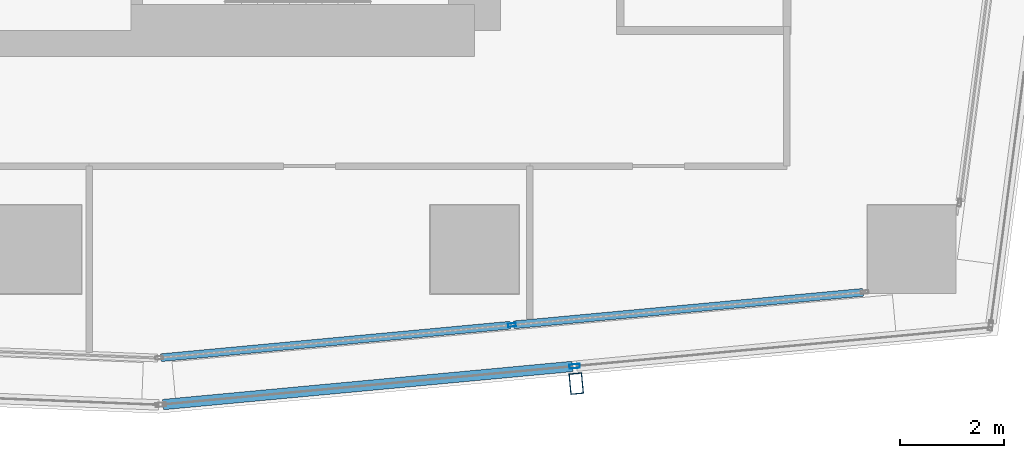
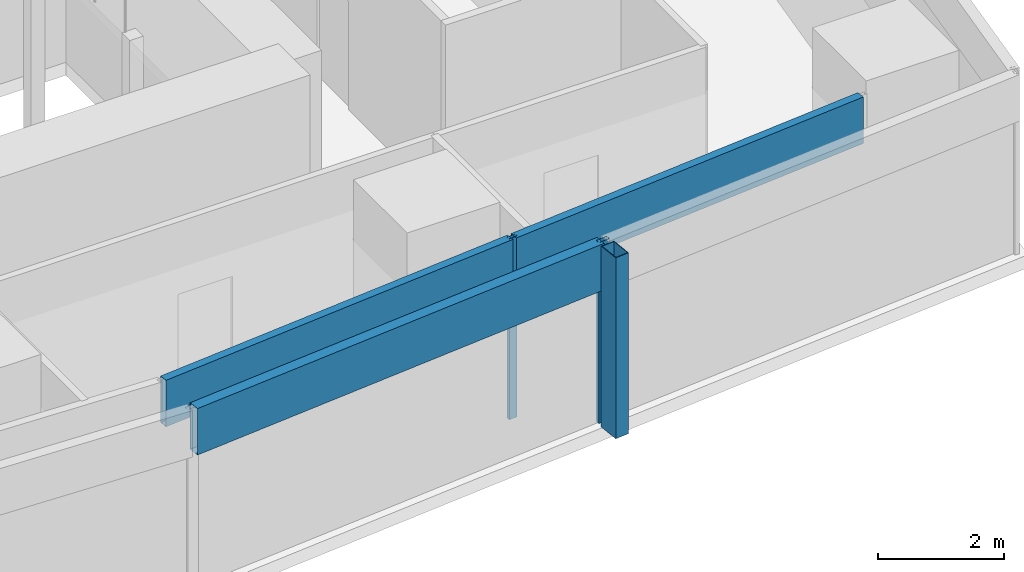
# One storey, part 11 of 39: 6 members, 2 elements without a shape of their own.
"""IFC4 building model written with IfcOpenShell, lengths in metres."""

from ifc_helpers import new_model, si_unit, direction, frame, origin, origin_2d, place, context, subcontext, project, spatial, hollow_rectangle, extrude, material, material_profile, profile_set, type_object, element, aggregate, save


model = new_model("IFC4")

# Units and contexts
model_context = context("Model", 3, precision=1e-05, world=origin(), true_north=direction((0.0, 1.0)))
body_context = subcontext(model_context, "Body", "Model", "MODEL_VIEW")
ifc_project = project(units=[si_unit("LENGTHUNIT", "METRE"), si_unit("AREAUNIT", "SQUARE_METRE"), si_unit("VOLUMEUNIT", "CUBIC_METRE"), si_unit("PLANEANGLEUNIT", "RADIAN"), si_unit("MASSUNIT", "GRAM", prefix="KILO")], contexts=[model_context])

# Site, building, storey
site_placement = place(None, origin())
site = spatial("IfcSite", under=ifc_project, at=site_placement, CompositionType="ELEMENT")
building_placement = place(site_placement, origin())
building = spatial("IfcBuilding", under=site, at=building_placement, Name="Rekha Terrace Tower", CompositionType="ELEMENT")
storey_placement = place(building_placement, frame((0.0, 0.0, 180.199951171875)))
storey = spatial("IfcBuildingStorey", under=building, at=storey_placement, Name="L45", CompositionType="ELEMENT", Elevation=180.199951171875)

# Curtain wall, member
ifc_material_1 = material(Name="Aluminium framing", Category="aluminium")
curtain_wall_type_1 = type_object("IfcCurtainWallType", Name="CW2 double skin outer glazing", PredefinedType="USERDEFINED", material=ifc_material_1)
curtain_wall_1_placement = place(storey_placement, origin())
curtain_wall_1 = element("IfcCurtainWall", 1, at=curtain_wall_1_placement, inside=storey, type_object=curtain_wall_type_1, Name="CW2 double skin outer glazing", ObjectType="DOUBLE SKIN OUTER GLAZING", PredefinedType="USERDEFINED")
ifc_material_2 = material(Name="Steel S355 with fluorocarbon finish", Category="steel")
ifc_material_profile_1 = material_profile(ifc_material_2, hollow_rectangle(XDim=0.25, YDim=0.39990234375, WallThickness=0.012451171875, at=origin_2d()), Name="RHS400x250x12.5")
ifc_profile_set_1 = profile_set([ifc_material_profile_1], Name="Steel S355 with fluorocarbon finish")
member_type_1 = type_object("IfcMemberType", Name="BL1 facade blade RHS 400 x 250", PredefinedType="USERDEFINED", material=ifc_profile_set_1)
member_1_placement = place(storey_placement, frame((52.35302734375, 14.22021484375, 0.0), z_axis=(0.0, 0.0, 1.0), x_axis=(0.995693203185, 0.092709466242, 0.0)))
member_1 = element("IfcMember", 2, at=member_1_placement, type_object=member_type_1, Name="Facade blade", ObjectType="FACADE BLADE", PredefinedType="USERDEFINED", context=body_context, shape_type="SweptSolid", body=[
    extrude(hollow_rectangle(XDim=0.25, YDim=0.39990234375, WallThickness=0.012451171875, at=origin_2d()), origin(), (0.0, 0.0, 1.0), 3.5),
])

# Curtain wall, members
curtain_wall_type_2 = type_object("IfcCurtainWallType", Name="CW1 double skin inner glazing", PredefinedType="USERDEFINED", material=ifc_material_1)
curtain_wall_2_placement = place(storey_placement, origin())
curtain_wall_2 = element("IfcCurtainWall", 3, at=curtain_wall_2_placement, inside=storey, type_object=curtain_wall_type_2, Name="CW1 double skin inner glazing", ObjectType="DOUBLE SKIN INNER GLAZING", PredefinedType="USERDEFINED")
ifc_material_3 = material(Name="Aluminium mullion section", Category="aluminium")
ifc_material_profile_2 = material_profile(ifc_material_3, hollow_rectangle(XDim=0.06494140625, YDim=0.14990234375, WallThickness=0.00390625, at=origin_2d()), Name="AL RHS 65x150")
ifc_profile_set_2 = profile_set([ifc_material_profile_2], Name="Aluminium mullion section")
member_type_2 = type_object("IfcMemberType", Name="CW1 mullion RHS 65 x 150", PredefinedType="MULLION", material=ifc_profile_set_2)
member_2_placement = place(storey_placement, frame((51.11962890625, 15.345703125, 0.0), z_axis=(0.0, 0.0, 1.0), x_axis=(-0.092708869529, 0.995693258745, 0.0)))
member_2 = element("IfcMember", 4, at=member_2_placement, type_object=member_type_2, Name="CW1 mullion 2", PredefinedType="MULLION", context=body_context, shape_type="SweptSolid", body=[
    extrude(hollow_rectangle(XDim=0.06494140625, YDim=0.14990234375, WallThickness=0.00390625, at=origin_2d()), origin(), (0.0, 0.0, 1.0), 3.5),
])
ifc_material_4 = material(Name="Insulated aluminium spandrel box", Category="aluminium")
ifc_material_profile_3 = material_profile(ifc_material_4, hollow_rectangle(XDim=0.14990234375, YDim=0.89990234375, WallThickness=0.0029296875, at=origin_2d()), Name="AL SPANDREL BOX 150x900")
ifc_profile_set_3 = profile_set([ifc_material_profile_3], Name="Insulated aluminium spandrel box")
member_type_3 = type_object("IfcMemberType", Name="CW1 spandrel transom 150 x 900", PredefinedType="USERDEFINED", material=ifc_profile_set_3)
member_3_placement = place(storey_placement, frame((44.376708984375, 14.718017578125, 3.050048828125), z_axis=(0.995693987287, 0.092701044658, 0.0), x_axis=(-0.092701044658, 0.995693987287, 0.0)))
member_3 = element("IfcMember", 5, at=member_3_placement, type_object=member_type_3, Name="CW1 spandrel transom 1", ObjectType="TRANSOM", PredefinedType="USERDEFINED", context=body_context, shape_type="SweptSolid", body=[
    extrude(hollow_rectangle(XDim=0.14990234375, YDim=0.89990234375, WallThickness=0.0029296875, at=origin_2d()), origin(), (0.0, 0.0, 1.0), 6.739501953125),
])
member_4_placement = place(storey_placement, frame((51.15185546875, 15.348876953125, 3.050048828125), z_axis=(0.995694298573, 0.092697701097, 0.0), x_axis=(-0.092697701097, 0.995694298573, 0.0)))
member_4 = element("IfcMember", 6, at=member_4_placement, type_object=member_type_3, Name="CW1 spandrel transom 2", ObjectType="TRANSOM", PredefinedType="USERDEFINED", context=body_context, shape_type="SweptSolid", body=[
    extrude(hollow_rectangle(XDim=0.14990234375, YDim=0.89990234375, WallThickness=0.0029296875, at=origin_2d()), origin(), (0.0, 0.0, 1.0), 6.73974609375),
])
aggregate(curtain_wall_2, [member_2, member_3, member_4])

# Member
ifc_material_profile_4 = material_profile(ifc_material_3, hollow_rectangle(XDim=0.080078125, YDim=0.199951171875, WallThickness=0.00390625, at=origin_2d()), Name="AL RHS 80x200")
ifc_profile_set_4 = profile_set([ifc_material_profile_4], Name="Aluminium mullion section")
member_type_4 = type_object("IfcMemberType", Name="CW2 mullion RHS 80 x 200", PredefinedType="MULLION", material=ifc_profile_set_4)
member_5_placement = place(storey_placement, frame((52.322021484375, 14.553955078125, 0.0), z_axis=(0.0, 0.0, 1.0), x_axis=(-0.092708869512, 0.995693258747, 0.0)))
member_5 = element("IfcMember", 7, at=member_5_placement, type_object=member_type_4, Name="CW2 mullion 2", PredefinedType="MULLION", context=body_context, shape_type="SweptSolid", body=[
    extrude(hollow_rectangle(XDim=0.080078125, YDim=0.199951171875, WallThickness=0.00390625, at=origin_2d()), origin(), (0.0, 0.0, 1.0), 3.5),
])

ifc_material_profile_5 = material_profile(ifc_material_4, hollow_rectangle(XDim=0.199951171875, YDim=0.89990234375, WallThickness=0.0029296875, at=origin_2d()), Name="AL SPANDREL BOX 200x900")
ifc_profile_set_5 = profile_set([ifc_material_profile_5], Name="Insulated aluminium spandrel box")
member_type_5 = type_object("IfcMemberType", Name="CW2 spandrel transom 200 x 900", PredefinedType="USERDEFINED", material=ifc_profile_set_5)
member_6_placement = place(storey_placement, frame((44.41552734375, 13.817626953125, 3.050048828125), z_axis=(0.995690937161, 0.092733799963, 0.0), x_axis=(-0.092733799963, 0.995690937161, 0.0)))
member_6 = element("IfcMember", 8, at=member_6_placement, type_object=member_type_5, Name="CW2 spandrel transom 1", ObjectType="TRANSOM", PredefinedType="USERDEFINED", context=body_context, shape_type="SweptSolid", body=[
    extrude(hollow_rectangle(XDim=0.199951171875, YDim=0.89990234375, WallThickness=0.0029296875, at=origin_2d()), origin(), (0.0, 0.0, 1.0), 7.900634765625),
])

aggregate(curtain_wall_1, [member_5, member_6, member_1])

save(model, "model.ifc")
